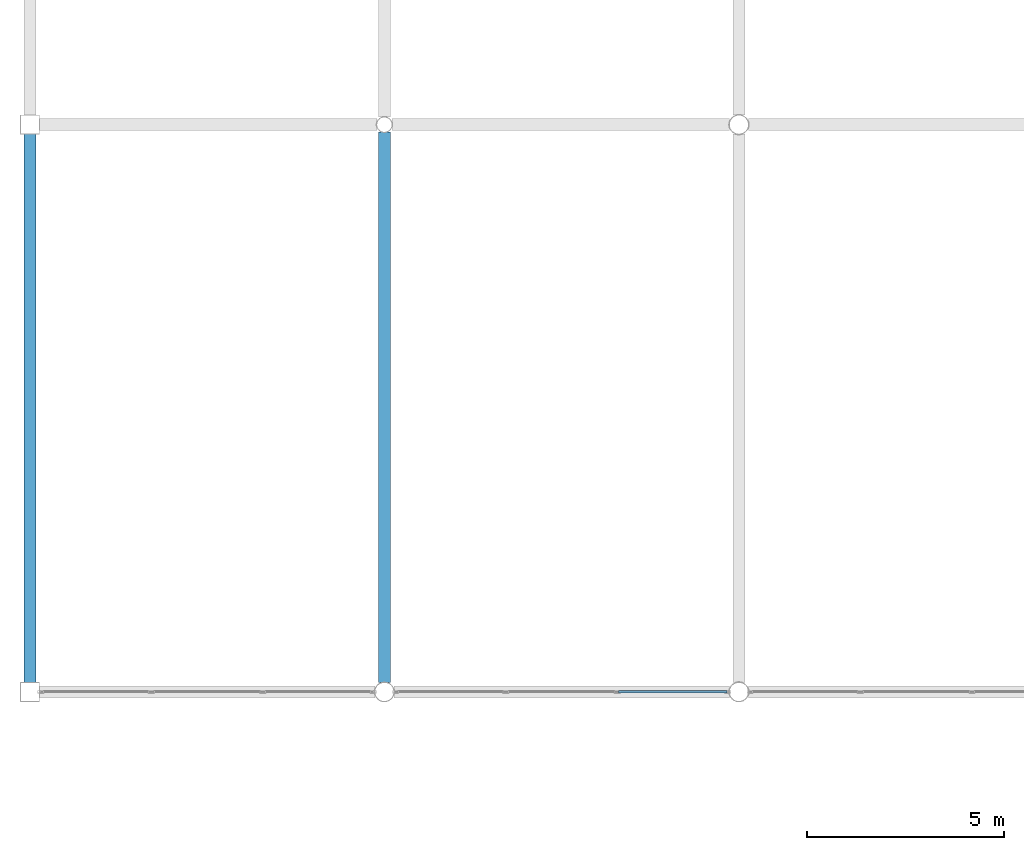
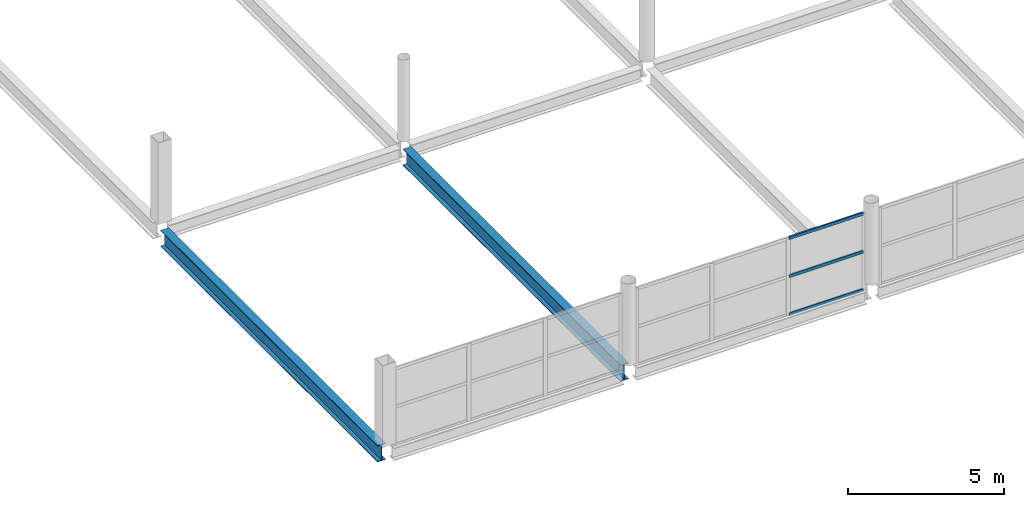
# One storey, part 23 of 134: 3 members, 2 beams, 1 element without a shape of its own.
"""IFC4 building model written with IfcOpenShell, lengths in metres."""

from ifc_helpers import new_model, si_unit, direction, frame, origin, origin_2d, place, context, subcontext, project, spatial, hollow_rectangle, i_section, extrude, material, layer, layer_set, material_profile, profile_set, type_object, element, aggregate, save


model = new_model("IFC4")

# Units and contexts
model_context = context("Model", 3, precision=1e-05, world=origin(), true_north=direction((0.0, 1.0)))
body_context = subcontext(model_context, "Body", "Model", "MODEL_VIEW")
ifc_project = project(units=[si_unit("LENGTHUNIT", "METRE"), si_unit("AREAUNIT", "SQUARE_METRE"), si_unit("VOLUMEUNIT", "CUBIC_METRE"), si_unit("PLANEANGLEUNIT", "RADIAN"), si_unit("MASSUNIT", "GRAM", prefix="KILO")], contexts=[model_context])

# Site, building, storey
site_placement = place(None, origin())
site = spatial("IfcSite", under=ifc_project, at=site_placement, CompositionType="ELEMENT")
building_placement = place(site_placement, origin())
building = spatial("IfcBuilding", under=site, at=building_placement, Name="Tamarisk Ironworks Central Station", CompositionType="ELEMENT")
storey_placement = place(building_placement, frame((0.0, 0.0, 12.60009765625)))
storey = spatial("IfcBuildingStorey", under=building, at=storey_placement, Name="L02", CompositionType="ELEMENT", Elevation=12.60009765625)

# Beams
ifc_material_1 = material(Name="Structural steel S355J2", Category="steel")
ifc_material_profile_1 = material_profile(ifc_material_1, i_section(OverallWidth=0.300048828125, OverallDepth=0.639892578125, WebThickness=0.013427734375, FlangeThickness=0.02587890625, at=origin_2d()), Name="HEA 650")
ifc_profile_set_1 = profile_set([ifc_material_profile_1], Name="Structural steel S355J2")
beam_type = type_object("IfcBeamType", Name="BM-G02", PredefinedType="BEAM", material=ifc_profile_set_1)
beam_1_placement = place(storey_placement, frame((0.0, 21.837890625, -0.570068359375), z_axis=(0.0, 1.0, 0.0), x_axis=(-1.0, 0.0, 0.0)))
element("IfcBeam", 1, at=beam_1_placement, inside=storey, type_object=beam_type, Name="L02 primary girder Y-0416", PredefinedType="BEAM", context=body_context, shape_type="SweptSolid", body=[
    extrude(i_section(OverallWidth=0.300048828125, OverallDepth=0.639892578125, WebThickness=0.013427734375, FlangeThickness=0.02587890625, at=origin_2d()), origin(), (0.0, 0.0, 1.0), 13.924072265625),
])
beam_2_placement = place(storey_placement, frame((9.0, 21.842041015625, -0.570068359375), z_axis=(0.0, 1.0, 0.0), x_axis=(-1.0, 0.0, 0.0)))
element("IfcBeam", 2, at=beam_2_placement, inside=storey, type_object=beam_type, Name="L02 primary girder Y-0423", PredefinedType="BEAM", context=body_context, shape_type="SweptSolid", body=[
    extrude(i_section(OverallWidth=0.300048828125, OverallDepth=0.639892578125, WebThickness=0.013427734375, FlangeThickness=0.02587890625, at=origin_2d()), origin(), (0.0, 0.0, 1.0), 13.966796875),
])

# Curtain wall, members
ifc_material_2 = material(Name="Anodized aluminium alloy 6063-T6", Category="aluminium")
ifc_layer = layer(ifc_material_2, 0.179931640625)
ifc_layer_set = layer_set([ifc_layer], Name="Anodized aluminium alloy 6063-T6")
curtain_wall_type = type_object("IfcCurtainWallType", Name="CW-08", PredefinedType="USERDEFINED", material=ifc_layer_set)
curtain_wall_placement = place(storey_placement, origin())
curtain_wall = element("IfcCurtainWall", 3, at=curtain_wall_placement, inside=storey, type_object=curtain_wall_type, Name="Train shed WS clerestory curtain wall 009", ObjectType="GLAZED CURTAIN WALL", PredefinedType="USERDEFINED")
ifc_material_profile_2 = material_profile(ifc_material_2, hollow_rectangle(XDim=0.06005859375, YDim=0.114990234375, WallThickness=0.00341796875, at=origin_2d()), Name="ALUM 115x60")
ifc_profile_set_2 = profile_set([ifc_material_profile_2], Name="Anodized aluminium alloy 6063-T6")
member_type = type_object("IfcMemberType", Name="CWT-03", PredefinedType="USERDEFINED", material=ifc_profile_set_2)
member_1_placement = place(storey_placement, frame((14.94189453125, 21.60009765625, -0.22998046875), z_axis=(1.0, 0.0, 0.0), x_axis=(0.0, 1.0, 0.0)))
member_1 = element("IfcMember", 4, at=member_1_placement, type_object=member_type, Name="CW08 transom 3.1", ObjectType="TRANSOM", PredefinedType="USERDEFINED", context=body_context, shape_type="SweptSolid", body=[
    extrude(hollow_rectangle(XDim=0.06005859375, YDim=0.114990234375, WallThickness=0.00341796875, at=origin_2d()), origin(), (0.0, 0.0, 1.0), 2.75),
])
member_2_placement = place(storey_placement, frame((14.94189453125, 21.60009765625, 1.260009765625), z_axis=(1.0, 0.0, 0.0), x_axis=(0.0, 1.0, 0.0)))
member_2 = element("IfcMember", 5, at=member_2_placement, type_object=member_type, Name="CW08 transom 3.2", ObjectType="TRANSOM", PredefinedType="USERDEFINED", context=body_context, shape_type="SweptSolid", body=[
    extrude(hollow_rectangle(XDim=0.06005859375, YDim=0.114990234375, WallThickness=0.00341796875, at=origin_2d()), origin(), (0.0, 0.0, 1.0), 2.75),
])
member_3_placement = place(storey_placement, frame((14.94189453125, 21.60009765625, 2.75), z_axis=(1.0, 0.0, 0.0), x_axis=(0.0, 1.0, 0.0)))
member_3 = element("IfcMember", 6, at=member_3_placement, type_object=member_type, Name="CW08 transom 3.3", ObjectType="TRANSOM", PredefinedType="USERDEFINED", context=body_context, shape_type="SweptSolid", body=[
    extrude(hollow_rectangle(XDim=0.06005859375, YDim=0.114990234375, WallThickness=0.00341796875, at=origin_2d()), origin(), (0.0, 0.0, 1.0), 2.75),
])
aggregate(curtain_wall, [member_1, member_2, member_3])

save(model, "model.ifc")
